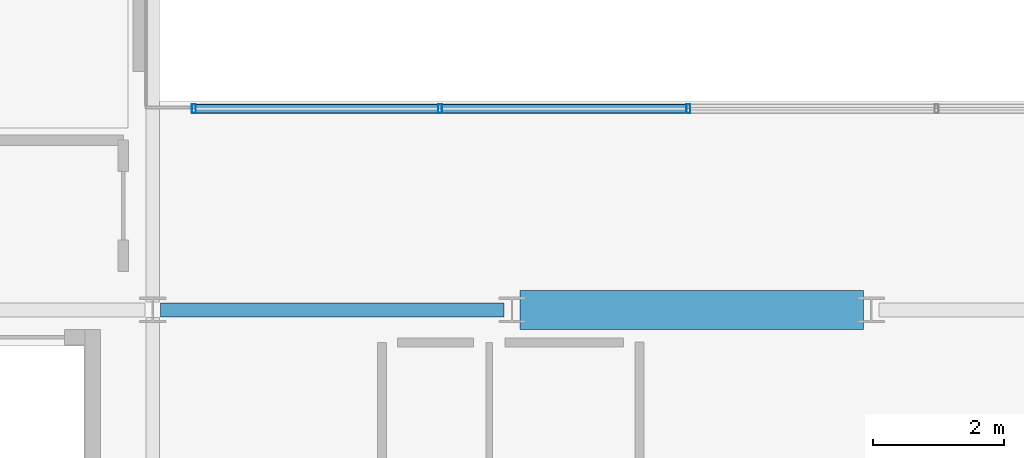
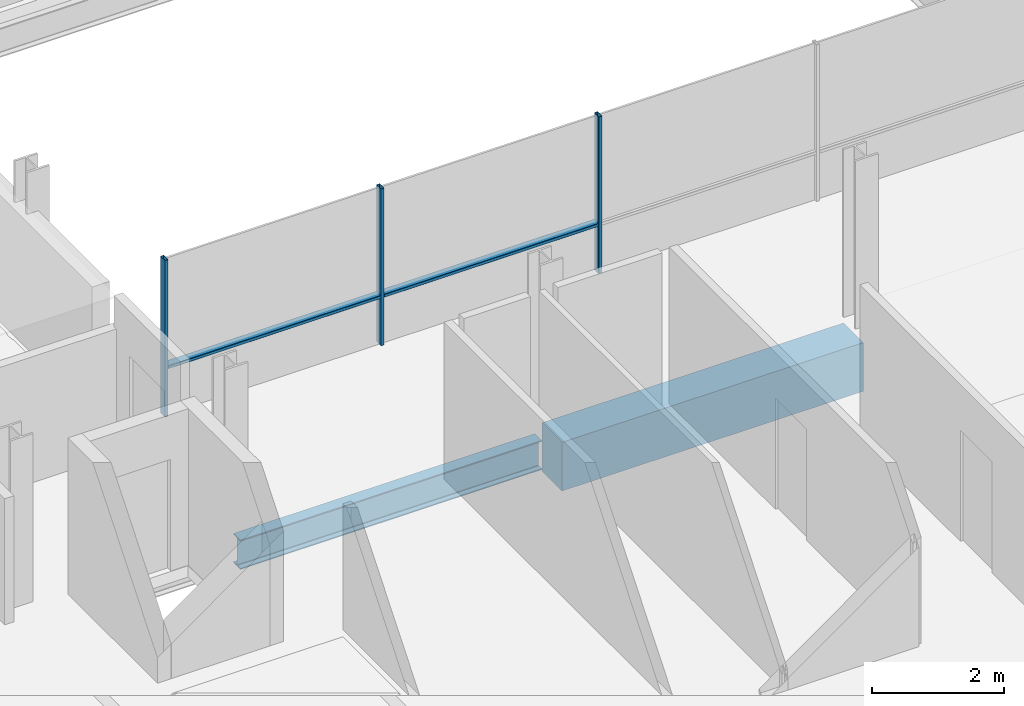
# One storey, part 5 of 38: 5 members, 2 beams, 1 element without a shape of its own.
"""IFC4 building model written with IfcOpenShell, lengths in metres."""

import ifcopenshell
import ifcopenshell.guid

model = None  # the IFC model being written
_history = None  # IfcOwnerHistory: only IFC2X3 demands one
_inside = {}  # id of a spatial element -> (the spatial element, [elements in it])
_under = {}  # id of a project, library or spatial element -> (it, [spatial elements below it])
_declared = {}  # id of a project -> (the project, [libraries it declares])
_typed = {}  # id of a type object -> (the type object, [elements of that type])
_made_of = {}  # id of a material, layer set ... -> (it, [elements and type objects made of it])


def new_model(schema):
    """Start an empty IFC model of exactly this schema.

    Asked for "IFC4X3", IfcOpenShell would pick the latest addendum, in which some entities
    have other attributes; the version numbers below select the first issue.
    IFC2X3 requires an IfcOwnerHistory on every rooted entity: one is made here for all.
    """
    global model, _history
    if schema == "IFC4X3":
        model = ifcopenshell.file(schema_version=(4, 3, 0, 0))
    else:
        model = ifcopenshell.file(schema=schema)
    _inside.clear()
    _under.clear()
    _declared.clear()
    _typed.clear()
    _made_of.clear()
    _history = None
    if model.schema == "IFC2X3":
        org = make("IfcOrganization", Name="unknown")
        user = make(
            "IfcPersonAndOrganization",
            ThePerson=make("IfcPerson", FamilyName="unknown"),
            TheOrganization=org,
        )
        app = make(
            "IfcApplication",
            ApplicationDeveloper=org,
            Version="unknown",
            ApplicationFullName="unknown",
            ApplicationIdentifier="unknown",
        )
        _history = make(
            "IfcOwnerHistory",
            OwningUser=user,
            OwningApplication=app,
            ChangeAction="ADDED",
            CreationDate=0,
        )
    return model


def make(cls, **values):
    """One entity of the class cls with the attributes given. An attribute that is None is left unset."""
    return model.create_entity(
        cls, **{name: value for name, value in values.items() if value is not None}
    )


def rooted(cls, **values):
    """An entity with a GlobalId (a new one), such as an element, a storey or a relation."""
    return make(cls, GlobalId=ifcopenshell.guid.new(), OwnerHistory=_history, **values)


def si_unit(unit_type, name, prefix=None):
    """IfcSIUnit, for example si_unit("LENGTHUNIT", "METRE", prefix="MILLI")."""
    return make("IfcSIUnit", UnitType=unit_type, Prefix=prefix, Name=name)


def assignment(units):
    """IfcUnitAssignment: the units of a project."""
    return None if units is None else make("IfcUnitAssignment", Units=units)


def point(xyz):
    """IfcCartesianPoint."""
    return None if xyz is None else make("IfcCartesianPoint", Coordinates=xyz)


def direction(xyz):
    """IfcDirection."""
    return None if xyz is None else make("IfcDirection", DirectionRatios=xyz)


def frame(location, z_axis=None, x_axis=None):
    """IfcAxis2Placement3D, a coordinate frame: its origin and axes. An axis left out is left unset."""
    return make(
        "IfcAxis2Placement3D",
        Location=point(location),
        Axis=direction(z_axis),
        RefDirection=direction(x_axis),
    )


def frame_2d(location, x_axis=None):
    """IfcAxis2Placement2D, a coordinate frame in the plane: its origin and x axis."""
    return make(
        "IfcAxis2Placement2D", Location=point(location), RefDirection=direction(x_axis)
    )


def origin():
    """The frame at (0, 0, 0) with its axes left unset."""
    return frame((0.0, 0.0, 0.0))


def origin_2d():
    """The frame at (0, 0) in the plane with its x axis left unset."""
    return frame_2d((0.0, 0.0))


def place(relative_to, where):
    """IfcLocalPlacement: puts the frame where relative to a parent placement (None: the world)."""
    return make(
        "IfcLocalPlacement", PlacementRelTo=relative_to, RelativePlacement=where
    )


def context(
    kind, dimensions, precision=None, world=None, true_north=None, identifier=None
):
    """IfcGeometricRepresentationContext, for example the 3D "Model" context."""
    return make(
        "IfcGeometricRepresentationContext",
        ContextIdentifier=identifier,
        ContextType=kind,
        CoordinateSpaceDimension=dimensions,
        Precision=precision,
        WorldCoordinateSystem=world,
        TrueNorth=true_north,
    )


def subcontext(parent, identifier, kind, view, scale=None):
    """IfcGeometricRepresentationSubContext, for example "Body" below "Model"."""
    return make(
        "IfcGeometricRepresentationSubContext",
        ContextIdentifier=identifier,
        ContextType=kind,
        ParentContext=parent,
        TargetScale=scale,
        TargetView=view,
    )


def project(units=None, contexts=None):
    """IfcProject with its units and contexts."""
    return rooted(
        "IfcProject",
        Name="project",
        RepresentationContexts=contexts,
        UnitsInContext=assignment(units),
    )


def spatial(cls, under=None, at=None, **own):
    """A site, building, storey or space (cls), placed at a placement, below another one or the project."""
    s = rooted(cls, ObjectPlacement=at, **own)
    if under is not None:
        _under.setdefault(under.id(), (under, []))[1].append(s)
    return s


def profile(cls, at=None, kind="AREA", **sizes):
    """A parametric profile (cls). Its sizes go by their IFC names, for example OverallWidth=200.0."""
    return make(cls, ProfileType=kind, Position=at, **sizes)


def rectangle(**sizes):
    """IfcRectangleProfileDef."""
    return profile("IfcRectangleProfileDef", **sizes)


def hollow_rectangle(**sizes):
    """IfcRectangleHollowProfileDef."""
    return profile("IfcRectangleHollowProfileDef", **sizes)


def i_section(**sizes):
    """IfcIShapeProfileDef."""
    return profile("IfcIShapeProfileDef", **sizes)


def extrude(swept, where, along, depth):
    """IfcExtrudedAreaSolid: the profile swept, set in the frame where, extruded along a direction by depth."""
    return make(
        "IfcExtrudedAreaSolid",
        SweptArea=swept,
        Position=where,
        ExtrudedDirection=direction(along),
        Depth=depth,
    )


def shape(context_of_items, identifier, shape_type, items):
    """IfcShapeRepresentation: the items that make up one representation, for example the "Body"."""
    return make(
        "IfcShapeRepresentation",
        ContextOfItems=context_of_items,
        RepresentationIdentifier=identifier,
        RepresentationType=shape_type,
        Items=items,
    )


def material(Name=None, Category=None):
    """IfcMaterial."""
    return make("IfcMaterial", Name=Name, Category=Category)


def layer(
    of_material, thickness, ventilated=None, Name=None, Category=None, Priority=None
):
    """IfcMaterialLayer: one layer of a wall or slab, of a material (None: an air gap)."""
    return make(
        "IfcMaterialLayer",
        Material=of_material,
        LayerThickness=thickness,
        IsVentilated=ventilated,
        Name=Name,
        Category=Category,
        Priority=Priority,
    )


def layer_set(layers, Name=None):
    """IfcMaterialLayerSet."""
    return make("IfcMaterialLayerSet", MaterialLayers=layers, LayerSetName=Name)


def material_profile(
    of_material, cross_section, Name=None, Category=None, Priority=None
):
    """IfcMaterialProfile: a cross section and its material."""
    return make(
        "IfcMaterialProfile",
        Name=Name,
        Material=of_material,
        Profile=cross_section,
        Priority=Priority,
        Category=Category,
    )


def profile_set(profiles, Name=None, composite=None):
    """IfcMaterialProfileSet."""
    return make(
        "IfcMaterialProfileSet",
        Name=Name,
        MaterialProfiles=profiles,
        CompositeProfile=composite,
    )


def made_of(thing, what):
    """Note that an element or type object is made of a material, layer set ...; save() writes the relation."""
    if what is not None:
        _made_of.setdefault(what.id(), (what, []))[1].append(thing)
    return thing


def type_object(cls, material=None, **own):
    """A type object (cls), such as IfcWallType, which elements share."""
    return made_of(rooted(cls, **own), material)


def element(
    cls,
    number,
    at=None,
    inside=None,
    cuts=None,
    type_object=None,
    material=None,
    context=None,
    identifier="Body",
    shape_type=None,
    held_by="IfcProductDefinitionShape",
    body=None,
    shapes=None,
    **own,
):
    """One element of the class cls, such as IfcWall. Its Tag is "e" and its number.

    at: its placement. inside: the storey or other place that contains it. cuts: it is an
    opening in that element (IfcRelVoidsElement). A single representation is given by context,
    identifier, shape_type and body (its items); several are given by shapes. held_by: the class
    of the entity that holds the representations. save() writes the other relations.
    """
    e = rooted(cls, Tag="e%d" % number, ObjectPlacement=at, **own)
    if body is not None:
        shapes = [shape(context, identifier, shape_type, body)]
    if shapes is not None:
        e.Representation = make(held_by, Representations=shapes)
    if inside is not None:
        _inside.setdefault(inside.id(), (inside, []))[1].append(e)
    if cuts is not None:
        rooted(
            "IfcRelVoidsElement", RelatingBuildingElement=cuts, RelatedOpeningElement=e
        )
    if type_object is not None:
        _typed.setdefault(type_object.id(), (type_object, []))[1].append(e)
    return made_of(e, material)


def aggregate(whole, parts):
    """IfcRelAggregates: a whole, such as a stair, and the parts it consists of."""
    return rooted("IfcRelAggregates", RelatingObject=whole, RelatedObjects=parts)


def save(model, path):
    """Write the relations noted so far, then the file.

    IfcRelAggregates (storeys below a building ...), IfcRelContainedInSpatialStructure (elements
    in a storey), IfcRelDefinesByType, IfcRelAssociatesMaterial and IfcRelDeclares: one each for
    every whole, place, type object, material and project.
    """
    for whole, parts in _under.values():
        aggregate(whole, parts)
    for where, things in _inside.values():
        rooted(
            "IfcRelContainedInSpatialStructure",
            RelatedElements=things,
            RelatingStructure=where,
        )
    for kind, things in _typed.values():
        rooted("IfcRelDefinesByType", RelatedObjects=things, RelatingType=kind)
    for what, things in _made_of.values():
        rooted("IfcRelAssociatesMaterial", RelatedObjects=things, RelatingMaterial=what)
    for by, libraries in _declared.values():
        rooted("IfcRelDeclares", RelatingContext=by, RelatedDefinitions=libraries)
    model.write(path)


model = new_model("IFC4")

# Units and contexts
model_context = context("Model", 3, precision=1e-05, world=origin(), true_north=direction((0.0, 1.0)))
body_context = subcontext(model_context, "Body", "Model", "MODEL_VIEW")
ifc_project = project(units=[si_unit("LENGTHUNIT", "METRE"), si_unit("AREAUNIT", "SQUARE_METRE"), si_unit("VOLUMEUNIT", "CUBIC_METRE"), si_unit("PLANEANGLEUNIT", "RADIAN"), si_unit("MASSUNIT", "GRAM", prefix="KILO")], contexts=[model_context])

# Site, building, storey
site_placement = place(None, origin())
site = spatial("IfcSite", under=ifc_project, at=site_placement, CompositionType="ELEMENT")
building_placement = place(site_placement, origin())
building = spatial("IfcBuilding", under=site, at=building_placement, Name="Brevholm Reach", CompositionType="ELEMENT")
storey_placement = place(building_placement, frame((0.0, 0.0, 186.300048828125)))
storey = spatial("IfcBuildingStorey", under=building, at=storey_placement, Name="L56", CompositionType="ELEMENT", Elevation=186.300048828125)

# Beams
ifc_material_1 = material(Name="Concrete C50/60", Category="concrete")
ifc_material_profile_1 = material_profile(ifc_material_1, rectangle(XDim=0.60009765625, YDim=0.89990234375, at=origin_2d()), Name="RC 600x900")
ifc_profile_set_1 = profile_set([ifc_material_profile_1], Name="Concrete C50/60")
beam_type_1 = type_object("IfcBeamType", Name="BM-CB600", PredefinedType="LINTEL", material=ifc_profile_set_1)
beam_1_placement = place(storey_placement, frame((27.3701171875, 10.0, -0.66015625), z_axis=(1.0, 0.0, 0.0), x_axis=(0.0, 1.0, 0.0)))
element("IfcBeam", 1, at=beam_1_placement, inside=storey, type_object=beam_type_1, Name="L56 CB-02 Framing Beam", PredefinedType="LINTEL", context=body_context, shape_type="SweptSolid", body=[
    extrude(rectangle(XDim=0.60009765625, YDim=0.89990234375, at=origin_2d()), origin(), (0.0, 0.0, 1.0), 5.259765625),
])
ifc_material_2 = material(Name="Structural Steel S355J2", Category="steel")
ifc_material_profile_2 = material_profile(ifc_material_2, i_section(OverallWidth=0.210693359375, OverallDepth=0.53955078125, WebThickness=0.01171875, FlangeThickness=0.018798828125, FilletRadius=0.0126953125, at=origin_2d()), Name="UKB 533x210x109")
ifc_profile_set_2 = profile_set([ifc_material_profile_2], Name="Structural Steel S355J2")
beam_type_2 = type_object("IfcBeamType", Name="BM-SP539", PredefinedType="SPANDREL", material=ifc_profile_set_2)
beam_2_placement = place(storey_placement, frame((21.8701171875, 10.0, -0.479736328125), z_axis=(1.0, 0.0, 0.0), x_axis=(0.0, 1.0, 0.0)))
element("IfcBeam", 2, at=beam_2_placement, inside=storey, type_object=beam_type_2, Name="L56 SP-01B Framing Beam", PredefinedType="SPANDREL", context=body_context, shape_type="SweptSolid", body=[
    extrude(i_section(OverallWidth=0.210693359375, OverallDepth=0.53955078125, WebThickness=0.01171875, FlangeThickness=0.018798828125, FilletRadius=0.0126953125, at=origin_2d()), origin(), (0.0, 0.0, 1.0), 5.259765625),
])

# Curtain wall, members
ifc_material_3 = material(Name="Dark Anodised Aluminium 6063-T6 and Solar-Control Glass", Category="aluminium")
ifc_layer = layer(ifc_material_3, 0.139892578125)
ifc_layer_set = layer_set([ifc_layer], Name="Dark Anodised Aluminium 6063-T6 and Solar-Control Glass")
curtain_wall_type = type_object("IfcCurtainWallType", Name="CW-02", PredefinedType="NOTDEFINED", material=ifc_layer_set)
curtain_wall_placement = place(storey_placement, origin())
curtain_wall = element("IfcCurtainWall", 3, at=curtain_wall_placement, inside=storey, type_object=curtain_wall_type, Name="L56 Curtain Wall CW-02", PredefinedType="NOTDEFINED")
ifc_material_4 = material(Name="Dark Anodised Aluminium 6063-T6", Category="aluminium")
ifc_material_profile_3 = material_profile(ifc_material_4, hollow_rectangle(XDim=0.06005859375, YDim=0.139892578125, WallThickness=0.0048828125, InnerFilletRadius=0.0048828125, OuterFilletRadius=0.010009765625, at=origin_2d()), Name="RHS 140x60x5")
ifc_profile_set_3 = profile_set([ifc_material_profile_3], Name="Dark Anodised Aluminium 6063-T6")
member_type_1 = type_object("IfcMemberType", Name="CWM-140", PredefinedType="MULLION", material=ifc_profile_set_3)
member_1_placement = place(storey_placement, frame((22.3798828125, 13.080078125, 0.0), z_axis=(0.0, 0.0, 1.0), x_axis=(1.0, 0.0, 0.0)))
member_1 = element("IfcMember", 4, at=member_1_placement, type_object=member_type_1, Name="CM-140 Mullion 1", PredefinedType="MULLION", context=body_context, shape_type="SweptSolid", body=[
    extrude(hollow_rectangle(XDim=0.06005859375, YDim=0.139892578125, WallThickness=0.0048828125, InnerFilletRadius=0.0048828125, OuterFilletRadius=0.010009765625, at=origin_2d()), origin(), (0.0, 0.0, 1.0), 2.889892578125),
])
member_2_placement = place(storey_placement, frame((26.14990234375, 13.080078125, 0.0), z_axis=(0.0, 0.0, 1.0), x_axis=(1.0, 0.0, 0.0)))
member_2 = element("IfcMember", 5, at=member_2_placement, type_object=member_type_1, Name="CM-140 Mullion 2", PredefinedType="MULLION", context=body_context, shape_type="SweptSolid", body=[
    extrude(hollow_rectangle(XDim=0.06005859375, YDim=0.139892578125, WallThickness=0.0048828125, InnerFilletRadius=0.0048828125, OuterFilletRadius=0.010009765625, at=origin_2d()), origin(), (0.0, 0.0, 1.0), 2.889892578125),
])
member_3_placement = place(storey_placement, frame((29.949951171875, 13.080078125, 0.0), z_axis=(0.0, 0.0, 1.0), x_axis=(1.0, 0.0, 0.0)))
member_3 = element("IfcMember", 6, at=member_3_placement, type_object=member_type_1, Name="CM-140 Mullion 3", PredefinedType="MULLION", context=body_context, shape_type="SweptSolid", body=[
    extrude(hollow_rectangle(XDim=0.06005859375, YDim=0.139892578125, WallThickness=0.0048828125, InnerFilletRadius=0.0048828125, OuterFilletRadius=0.010009765625, at=origin_2d()), origin(), (0.0, 0.0, 1.0), 2.889892578125),
])
ifc_material_5 = material(Name="Dark Anodised Aluminium 6063-T6", Category="aluminium")
ifc_material_profile_4 = material_profile(ifc_material_5, hollow_rectangle(XDim=0.06005859375, YDim=0.139892578125, WallThickness=0.0048828125, InnerFilletRadius=0.0048828125, OuterFilletRadius=0.010009765625, at=origin_2d()), Name="RHS 140x60x5")
ifc_profile_set_4 = profile_set([ifc_material_profile_4], Name="Dark Anodised Aluminium 6063-T6")
member_type_2 = type_object("IfcMemberType", Name="CWT-140", PredefinedType="NOTDEFINED", material=ifc_profile_set_4)
member_4_placement = place(storey_placement, frame((22.409912109375, 13.080078125, 0.89990234375), z_axis=(1.0, 0.0, 0.0), x_axis=(0.0, 0.0, 1.0)))
member_4 = element("IfcMember", 7, at=member_4_placement, type_object=member_type_2, Name="CT-140 Transom 1.1", ObjectType="TRANSOM", PredefinedType="USERDEFINED", context=body_context, shape_type="SweptSolid", body=[
    extrude(hollow_rectangle(XDim=0.06005859375, YDim=0.139892578125, WallThickness=0.0048828125, InnerFilletRadius=0.0048828125, OuterFilletRadius=0.010009765625, at=origin_2d()), origin(), (0.0, 0.0, 1.0), 3.710205078125),
])
member_5_placement = place(storey_placement, frame((26.179931640625, 13.080078125, 0.89990234375), z_axis=(1.0, 0.0, 0.0), x_axis=(0.0, 0.0, 1.0)))
member_5 = element("IfcMember", 8, at=member_5_placement, type_object=member_type_2, Name="CT-140 Transom 2.1", ObjectType="TRANSOM", PredefinedType="USERDEFINED", context=body_context, shape_type="SweptSolid", body=[
    extrude(hollow_rectangle(XDim=0.06005859375, YDim=0.139892578125, WallThickness=0.0048828125, InnerFilletRadius=0.0048828125, OuterFilletRadius=0.010009765625, at=origin_2d()), origin(), (0.0, 0.0, 1.0), 3.739990234375),
])
aggregate(curtain_wall, [member_1, member_2, member_3, member_4, member_5])

save(model, "model.ifc")
